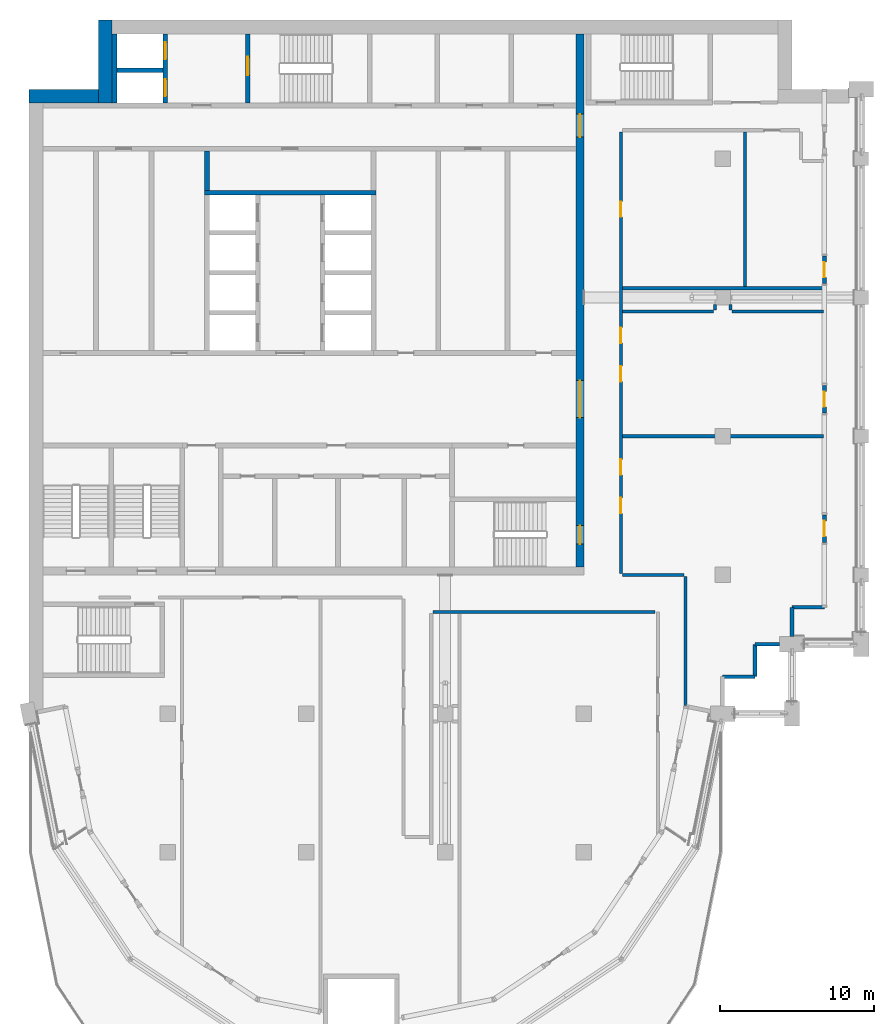
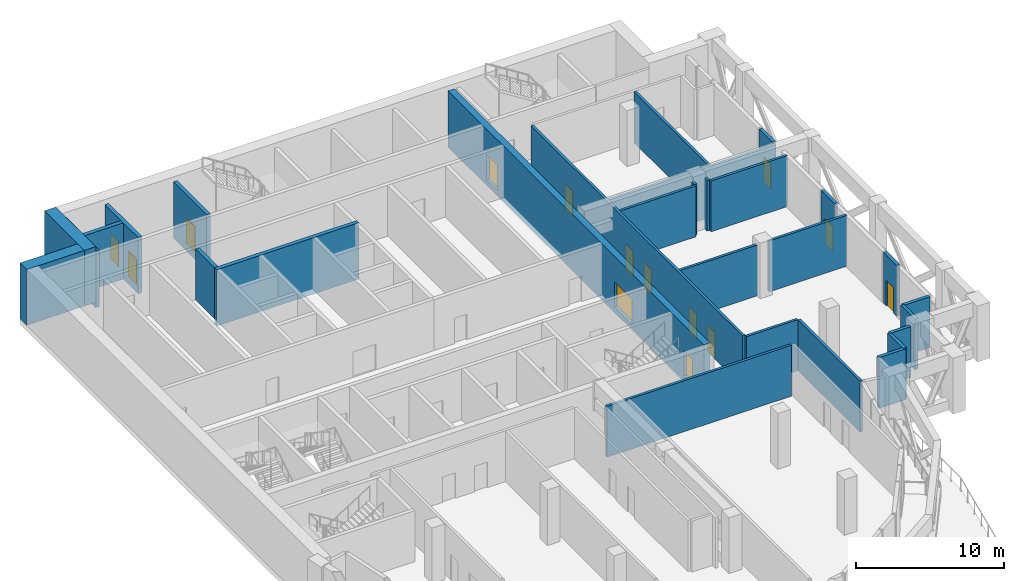
# One storey, part 9 of 18: 29 walls, 14 doors, 14 openings.
"""IFC4 building model written with IfcOpenShell, lengths in metres."""

from ifc_helpers import new_model, si_unit, direction, frame, frame_2d, origin, place, context, subcontext, project, spatial, rectangle, extrude, material, layer, layer_set, type_object, element, fill, save


model = new_model("IFC4")

# Units and contexts
model_context = context("Model", 3, precision=1e-05, world=origin(), true_north=direction((0.0, 1.0)))
body_context = subcontext(model_context, "Body", "Model", "MODEL_VIEW")
ifc_project = project(units=[si_unit("LENGTHUNIT", "METRE"), si_unit("AREAUNIT", "SQUARE_METRE"), si_unit("VOLUMEUNIT", "CUBIC_METRE"), si_unit("PLANEANGLEUNIT", "RADIAN"), si_unit("MASSUNIT", "GRAM", prefix="KILO")], contexts=[model_context])

# Site, building, storey
site_placement = place(None, origin())
site = spatial("IfcSite", under=ifc_project, at=site_placement, CompositionType="ELEMENT")
building_placement = place(site_placement, origin())
building = spatial("IfcBuilding", under=site, at=building_placement, Name="Hunhe Ridgeline Campus", CompositionType="ELEMENT")
storey_placement = place(building_placement, frame((0.0, 0.0, 276.199951171875)))
storey = spatial("IfcBuildingStorey", under=building, at=storey_placement, Name="L71", CompositionType="ELEMENT", Elevation=276.199951171875)

# Wall
ifc_material_1 = material(Name="Masonry concrete blockwork", Category="masonry")
ifc_layer_1 = layer(ifc_material_1, 0.300048828125)
ifc_layer_set_1 = layer_set([ifc_layer_1], Name="Core room partition 300 concrete block")
wall_type_1 = type_object("IfcWallType", Name="Core room partition 300 concrete block", PredefinedType="PARTITIONING", material=ifc_layer_set_1)
wall_1_placement = place(storey_placement, frame((11.550048828125, 87.949951171875, 0.0), z_axis=(0.0, 0.0, 1.0), x_axis=(0.0, 1.0, 0.0)))
element("IfcWall", 1, at=wall_1_placement, inside=storey, type_object=wall_type_1, Name="L71 core partition 32", PredefinedType="PARTITIONING", context=body_context, shape_type="SweptSolid", body=[
    extrude(rectangle(XDim=2.550048828125, YDim=0.300048828125, at=frame_2d((1.27490234375, 0.0))), origin(), (0.0, 0.0, 1.0), 4.199951171875),
])

# Wall, openings, doors
ifc_material_2 = material(Name="Concrete C50", Category="concrete")
ifc_layer_2 = layer(ifc_material_2, 0.5)
ifc_layer_set_2 = layer_set([ifc_layer_2], Name="Core wall 500 reinforced concrete C50")
wall_type_2 = type_object("IfcWallType", Name="Core wall 500 reinforced concrete C50", PredefinedType="SOLIDWALL", material=ifc_layer_set_2)
wall_2_placement = place(storey_placement, frame((35.75, 63.5, -0.449951171875), z_axis=(0.0, 0.0, 1.0), x_axis=(0.0, 1.0, 0.0)))
wall_2 = element("IfcWall", 2, at=wall_2_placement, inside=storey, type_object=wall_type_2, Name="L71 core wall 51", PredefinedType="SOLIDWALL", context=body_context, shape_type="SweptSolid", body=[
    extrude(rectangle(XDim=34.60009765625, YDim=0.5, at=frame_2d((17.300048828125, 0.0))), origin(), (0.0, 0.0, 1.0), 4.64990234375),
])
opening_1_placement = place(wall_2_placement, frame((9.699951171875, 0.0, 0.449951171875)))
opening_1 = element("IfcOpeningElement", 3, at=opening_1_placement, cuts=wall_2, Name="Opening CD4", PredefinedType="OPENING", context=body_context, shape_type="SweptSolid", body=[
    extrude(rectangle(XDim=2.39990234375, YDim=2.10009765625, at=frame_2d((1.199951171875, 1.050048828125))), frame((0.0, 0.25, 0.0), z_axis=(0.0, -1.0, 0.0), x_axis=(1.0, 0.0, 0.0)), (0.0, 0.0, 1.0), 0.5),
])
opening_2_placement = place(wall_2_placement, frame((27.89990234375, 0.0, 0.449951171875)))
opening_2 = element("IfcOpeningElement", 4, at=opening_2_placement, cuts=wall_2, Name="Opening CD5", PredefinedType="OPENING", context=body_context, shape_type="SweptSolid", body=[
    extrude(rectangle(XDim=1.5, YDim=2.10009765625, at=frame_2d((0.75, 1.050048828125))), frame((0.0, 0.25, 0.0), z_axis=(0.0, -1.0, 0.0), x_axis=(1.0, 0.0, 0.0)), (0.0, 0.0, 1.0), 0.5),
])
opening_3_placement = place(wall_2_placement, frame((1.5, 0.0, 0.449951171875)))
opening_3 = element("IfcOpeningElement", 5, at=opening_3_placement, cuts=wall_2, Name="Opening CD15", PredefinedType="OPENING", context=body_context, shape_type="SweptSolid", body=[
    extrude(rectangle(XDim=1.199951171875, YDim=2.10009765625, at=frame_2d((0.60009765625, 1.050048828125))), frame((0.0, 0.25, 0.0), z_axis=(0.0, -1.0, 0.0), x_axis=(1.0, 0.0, 0.0)), (0.0, 0.0, 1.0), 0.5),
])
ifc_material_3 = material(Name="Anodised aluminium and glass", Category="aluminium")
door_type_1 = type_object("IfcDoorType", Name="Glazed double door 2400x2100", OperationType="DOUBLE_DOOR_SINGLE_SWING", PredefinedType="DOOR", material=ifc_material_3)
door_1_placement = place(opening_1_placement, frame((2.39990234375, 0.0, 0.0), z_axis=(0.0, 0.0, 1.0), x_axis=(-1.0, 0.0, 0.0)))
door_1 = element("IfcDoor", 6, at=door_1_placement, inside=storey, type_object=door_type_1, Name="L71 door HALL-FLOOR", OperationType="DOUBLE_DOOR_SINGLE_SWING", OverallHeight=2.10009765625, OverallWidth=2.39990234375, PredefinedType="DOOR", context=body_context, shape_type="SweptSolid", body=[
    extrude(rectangle(XDim=2.39990234375, YDim=2.10009765625, at=frame_2d((1.199951171875, 1.050048828125))), frame((0.0, 0.02490234375, 0.0), z_axis=(0.0, -1.0, 0.0), x_axis=(1.0, 0.0, 0.0)), (0.0, 0.0, 1.0), 0.050048828125),
])
fill(opening_1, door_1)
ifc_material_4 = material(Name="Hollow metal fire door leaf")
door_type_2 = type_object("IfcDoorType", Name="Stair door 1200x2100 FD60", OperationType="SINGLE_SWING_LEFT", PredefinedType="DOOR", material=ifc_material_4)
door_2_placement = place(opening_3_placement, frame((1.199951171875, 0.0, 0.0), z_axis=(0.0, 0.0, 1.0), x_axis=(-1.0, 0.0, 0.0)))
door_2 = element("IfcDoor", 7, at=door_2_placement, inside=storey, type_object=door_type_2, Name="L71 door S2-FLOOR", OperationType="SINGLE_SWING_LEFT", OverallHeight=2.10009765625, OverallWidth=1.199951171875, PredefinedType="DOOR", context=body_context, shape_type="SweptSolid", body=[
    extrude(rectangle(XDim=1.199951171875, YDim=2.10009765625, at=frame_2d((0.60009765625, 1.050048828125))), frame((0.0, 0.02490234375, 0.0), z_axis=(0.0, -1.0, 0.0), x_axis=(1.0, 0.0, 0.0)), (0.0, 0.0, 1.0), 0.050048828125),
])
fill(opening_3, door_2)
ifc_material_5 = material(Name="Solid core timber door leaf", Category="wood")
door_type_3 = type_object("IfcDoorType", Name="Timber door 1500x2100", OperationType="SINGLE_SWING_LEFT", PredefinedType="DOOR", material=ifc_material_5)
door_3_placement = place(opening_2_placement, frame((1.5, 0.0, 0.0), z_axis=(0.0, 0.0, 1.0), x_axis=(-1.0, 0.0, 0.0)))
door_3 = element("IfcDoor", 8, at=door_3_placement, inside=storey, type_object=door_type_3, Name="L71 door C1-FLOOR", OperationType="SINGLE_SWING_LEFT", OverallHeight=2.10009765625, OverallWidth=1.5, PredefinedType="DOOR", context=body_context, shape_type="SweptSolid", body=[
    extrude(rectangle(XDim=1.5, YDim=2.10009765625, at=frame_2d((0.75, 1.050048828125))), frame((0.0, 0.02490234375, 0.0), z_axis=(0.0, -1.0, 0.0), x_axis=(1.0, 0.0, 0.0)), (0.0, 0.0, 1.0), 0.050048828125),
])
fill(opening_2, door_3)

# Walls
ifc_material_6 = material(Name="Concrete C30", Category="concrete")
ifc_layer_3 = layer(ifc_material_6, 0.25)
ifc_layer_set_3 = layer_set([ifc_layer_3], Name="Corner return wall 250 Concrete C30")
wall_type_3 = type_object("IfcWallType", Name="Corner return wall 250 Concrete C30", PredefinedType="SOLIDWALL", material=ifc_layer_set_3)
wall_3_placement = place(storey_placement, frame((44.999267578125, 56.400634765625, 0.0), z_axis=(0.0, 0.0, 1.0), x_axis=(0.999999993241, 0.00011626555, 0.0)))
element("IfcWall", 9, at=wall_3_placement, inside=storey, type_object=wall_type_3, Name="Corner return wall 4", PredefinedType="SOLIDWALL", context=body_context, shape_type="SweptSolid", body=[
    extrude(rectangle(XDim=2.099853515625, YDim=0.25, at=frame_2d((1.0498046875, 0.0))), origin(), (0.0, 0.0, 1.0), 4.199951171875),
])
wall_4_placement = place(storey_placement, frame((47.09912109375, 56.40087890625, 0.0), z_axis=(0.0, 0.0, 1.0), x_axis=(0.000232504063, 0.999999972971, 0.0)))
element("IfcWall", 10, at=wall_4_placement, inside=storey, type_object=wall_type_3, Name="Corner return wall 5", PredefinedType="SOLIDWALL", context=body_context, shape_type="SweptSolid", body=[
    extrude(rectangle(XDim=2.10009765625, YDim=0.25, at=frame_2d((1.050048828125, 0.0))), origin(), (0.0, 0.0, 1.0), 4.199951171875),
])
wall_5_placement = place(storey_placement, frame((47.099609375, 58.5009765625, 0.0), z_axis=(0.0, 0.0, 1.0), x_axis=(1.0, 0.0, 0.0)))
element("IfcWall", 11, at=wall_5_placement, inside=storey, type_object=wall_type_3, Name="Corner return wall 6", PredefinedType="SOLIDWALL", context=body_context, shape_type="SweptSolid", body=[
    extrude(rectangle(XDim=1.600341796875, YDim=0.25, at=frame_2d((0.80029296875, 0.0))), origin(), (0.0, 0.0, 1.0), 4.199951171875),
])
wall_6_placement = place(storey_placement, frame((49.4990234375, 59.0, 0.0), z_axis=(0.0, 0.0, 1.0), x_axis=(0.000256871299, 0.999999967009, 0.0)))
element("IfcWall", 12, at=wall_6_placement, inside=storey, type_object=wall_type_3, Name="Corner return wall 7", PredefinedType="SOLIDWALL", context=body_context, shape_type="SweptSolid", body=[
    extrude(rectangle(XDim=1.90087890625, YDim=0.25, at=frame_2d((0.950439453125, 0.0))), origin(), (0.0, 0.0, 1.0), 4.199951171875),
])
wall_7_placement = place(storey_placement, frame((49.49951171875, 60.90087890625, 0.0), z_axis=(0.0, 0.0, 1.0), x_axis=(1.0, 0.0, 0.0)))
element("IfcWall", 13, at=wall_7_placement, inside=storey, type_object=wall_type_3, Name="Corner return wall 8", PredefinedType="SOLIDWALL", context=body_context, shape_type="SweptSolid", body=[
    extrude(rectangle(XDim=2.099609375, YDim=0.25, at=frame_2d((1.0498046875, 0.0))), origin(), (0.0, 0.0, 1.0), 4.199951171875),
])
ifc_material_7 = material(Name="Gypsum board partition")
ifc_layer_4 = layer(ifc_material_7, 0.199951171875)
ifc_layer_set_4 = layer_set([ifc_layer_4], Name="Corridor partition 200 gypsum board on steel studs")
wall_type_4 = type_object("IfcWallType", Name="Corridor partition 200 gypsum board on steel studs", PredefinedType="PARTITIONING", material=ifc_layer_set_4)
wall_8_placement = place(storey_placement, frame((40.61083984375, 60.60009765625, 0.0), z_axis=(0.0, 0.0, 1.0), x_axis=(-1.0, 0.0, 0.0)))
element("IfcWall", 14, at=wall_8_placement, inside=storey, type_object=wall_type_4, Name="F-L71-wall-006", PredefinedType="PARTITIONING", context=body_context, shape_type="SweptSolid", body=[
    extrude(rectangle(XDim=14.410888671875, YDim=0.199951171875, at=frame_2d((7.20556640625, 0.0))), origin(), (0.0, 0.0, 1.0), 4.199951171875),
])
wall_9_placement = place(storey_placement, frame((38.5, 63.0, 0.0), z_axis=(0.0, 0.0, 1.0), x_axis=(1.0, 0.0, 0.0)))
element("IfcWall", 15, at=wall_9_placement, inside=storey, type_object=wall_type_4, Name="F-L71-wall-009", PredefinedType="PARTITIONING", context=body_context, shape_type="SweptSolid", body=[
    extrude(rectangle(XDim=4.0, YDim=0.199951171875, at=frame_2d((2.0, 0.0))), origin(), (0.0, 0.0, 1.0), 4.199951171875),
])
wall_10_placement = place(storey_placement, frame((38.5, 72.0, 0.0), z_axis=(0.0, 0.0, 1.0), x_axis=(1.0, 0.0, 0.0)))
element("IfcWall", 16, at=wall_10_placement, inside=storey, type_object=wall_type_4, Name="F-L71-wall-010", PredefinedType="PARTITIONING", context=body_context, shape_type="SweptSolid", body=[
    extrude(rectangle(XDim=6.050048828125, YDim=0.199951171875, at=frame_2d((3.02490234375, 0.0))), origin(), (0.0, 0.0, 1.0), 4.199951171875),
])
wall_11_placement = place(storey_placement, frame((45.449951171875, 72.0, 0.0), z_axis=(0.0, 0.0, 1.0), x_axis=(1.0, 0.0, 0.0)))
element("IfcWall", 17, at=wall_11_placement, inside=storey, type_object=wall_type_4, Name="F-L71-wall-011", PredefinedType="PARTITIONING", context=body_context, shape_type="SweptSolid", body=[
    extrude(rectangle(XDim=6.094970703125, YDim=0.199951171875, at=frame_2d((3.04736328125, 0.0))), origin(), (0.0, 0.0, 1.0), 4.199951171875),
])
wall_12_placement = place(storey_placement, frame((38.5, 80.10009765625, 0.0), z_axis=(0.0, 0.0, 1.0), x_axis=(1.0, 0.0, 0.0)))
element("IfcWall", 18, at=wall_12_placement, inside=storey, type_object=wall_type_4, Name="F-L71-wall-012", PredefinedType="PARTITIONING", context=body_context, shape_type="SweptSolid", body=[
    extrude(rectangle(XDim=5.89990234375, YDim=0.199951171875, at=frame_2d((2.949951171875, 0.0))), origin(), (0.0, 0.0, 1.0), 4.199951171875),
])
wall_13_placement = place(storey_placement, frame((45.60009765625, 80.10009765625, 0.0), z_axis=(0.0, 0.0, 1.0), x_axis=(1.0, 0.0, 0.0)))
element("IfcWall", 19, at=wall_13_placement, inside=storey, type_object=wall_type_4, Name="F-L71-wall-013", PredefinedType="PARTITIONING", context=body_context, shape_type="SweptSolid", body=[
    extrude(rectangle(XDim=5.94482421875, YDim=0.199951171875, at=frame_2d((2.972412109375, 0.0))), origin(), (0.0, 0.0, 1.0), 4.199951171875),
])
wall_14_placement = place(storey_placement, frame((38.5, 81.60009765625, 0.0), z_axis=(0.0, 0.0, 1.0), x_axis=(1.0, 0.0, 0.0)))
element("IfcWall", 20, at=wall_14_placement, inside=storey, type_object=wall_type_4, Name="F-L71-wall-014", PredefinedType="PARTITIONING", context=body_context, shape_type="SweptSolid", body=[
    extrude(rectangle(XDim=13.044921875, YDim=0.199951171875, at=frame_2d((6.5224609375, 0.0))), origin(), (0.0, 0.0, 1.0), 4.199951171875),
])

# Wall, openings, doors
wall_15_placement = place(storey_placement, frame((38.39990234375, 91.75, 0.0), z_axis=(0.0, 0.0, 1.0), x_axis=(0.0, -1.0, 0.0)))
wall_15 = element("IfcWall", 21, at=wall_15_placement, inside=storey, type_object=wall_type_4, Name="F-L71-wall-023", PredefinedType="PARTITIONING", context=body_context, shape_type="SweptSolid", body=[
    extrude(rectangle(XDim=28.64990234375, YDim=0.199951171875, at=frame_2d((14.324951171875, 0.0))), origin(), (0.0, 0.0, 1.0), 4.199951171875),
])
opening_4_placement = place(wall_15_placement, frame((23.751953125, 0.0, 0.0)))
opening_4 = element("IfcOpeningElement", 22, at=opening_4_placement, cuts=wall_15, Name="Opening RD1-009", PredefinedType="OPENING", context=body_context, shape_type="SweptSolid", body=[
    extrude(rectangle(XDim=1.0, YDim=2.10009765625, at=frame_2d((0.5, 1.050048828125))), frame((0.0, 0.10009765625, 0.0), z_axis=(0.0, -1.0, 0.0), x_axis=(1.0, 0.0, 0.0)), (0.0, 0.0, 1.0), 0.199951171875),
])
opening_5_placement = place(wall_15_placement, frame((21.251953125, 0.0, 0.0)))
opening_5 = element("IfcOpeningElement", 23, at=opening_5_placement, cuts=wall_15, Name="Opening RD1-010", PredefinedType="OPENING", context=body_context, shape_type="SweptSolid", body=[
    extrude(rectangle(XDim=1.0, YDim=2.10009765625, at=frame_2d((0.5, 1.050048828125))), frame((0.0, 0.10009765625, 0.0), z_axis=(0.0, -1.0, 0.0), x_axis=(1.0, 0.0, 0.0)), (0.0, 0.0, 1.0), 0.199951171875),
])
opening_6_placement = place(wall_15_placement, frame((15.207275390625, 0.0, 0.0)))
opening_6 = element("IfcOpeningElement", 24, at=opening_6_placement, cuts=wall_15, Name="Opening RD1-011", PredefinedType="OPENING", context=body_context, shape_type="SweptSolid", body=[
    extrude(rectangle(XDim=1.0, YDim=2.10009765625, at=frame_2d((0.5, 1.050048828125))), frame((0.0, 0.10009765625, 0.0), z_axis=(0.0, -1.0, 0.0), x_axis=(1.0, 0.0, 0.0)), (0.0, 0.0, 1.0), 0.199951171875),
])
opening_7_placement = place(wall_15_placement, frame((12.707275390625, 0.0, 0.0)))
opening_7 = element("IfcOpeningElement", 25, at=opening_7_placement, cuts=wall_15, Name="Opening RD1-012", PredefinedType="OPENING", context=body_context, shape_type="SweptSolid", body=[
    extrude(rectangle(XDim=1.0, YDim=2.10009765625, at=frame_2d((0.5, 1.050048828125))), frame((0.0, 0.10009765625, 0.0), z_axis=(0.0, -1.0, 0.0), x_axis=(1.0, 0.0, 0.0)), (0.0, 0.0, 1.0), 0.199951171875),
])
opening_8_placement = place(wall_15_placement, frame((4.5263671875, 0.0, 0.0)))
opening_8 = element("IfcOpeningElement", 26, at=opening_8_placement, cuts=wall_15, Name="Opening RD1-013", PredefinedType="OPENING", context=body_context, shape_type="SweptSolid", body=[
    extrude(rectangle(XDim=1.0, YDim=2.10009765625, at=frame_2d((0.5, 1.050048828125))), frame((0.0, 0.10009765625, 0.0), z_axis=(0.0, -1.0, 0.0), x_axis=(1.0, 0.0, 0.0)), (0.0, 0.0, 1.0), 0.199951171875),
])
ifc_material_8 = material(Name="Timber door leaf", Category="wood")
door_type_4 = type_object("IfcDoorType", Name="Single fire door 1000x2100 timber FD60", OperationType="NOTDEFINED", PredefinedType="DOOR", material=ifc_material_8)
door_4_placement = place(opening_4_placement, frame((1.0, 0.0, 0.0), z_axis=(0.0, 0.0, 1.0), x_axis=(-1.0, 0.0, 0.0)))
door_4 = element("IfcDoor", 27, at=door_4_placement, inside=storey, type_object=door_type_4, Name="F-L71-door-009", OperationType="SINGLE_SWING_RIGHT", OverallHeight=2.10009765625, OverallWidth=1.0, PredefinedType="DOOR", context=body_context, shape_type="SweptSolid", body=[
    extrude(rectangle(XDim=1.0, YDim=2.10009765625, at=frame_2d((0.5, 1.050048828125))), frame((0.0, 0.02490234375, 0.0), z_axis=(0.0, -1.0, 0.0), x_axis=(1.0, 0.0, 0.0)), (0.0, 0.0, 1.0), 0.050048828125),
])
fill(opening_4, door_4)
door_5_placement = place(opening_5_placement, frame((1.0, 0.0, 0.0), z_axis=(0.0, 0.0, 1.0), x_axis=(-1.0, 0.0, 0.0)))
door_5 = element("IfcDoor", 28, at=door_5_placement, inside=storey, type_object=door_type_4, Name="F-L71-door-010", OperationType="SINGLE_SWING_RIGHT", OverallHeight=2.10009765625, OverallWidth=1.0, PredefinedType="DOOR", context=body_context, shape_type="SweptSolid", body=[
    extrude(rectangle(XDim=1.0, YDim=2.10009765625, at=frame_2d((0.5, 1.050048828125))), frame((0.0, 0.02490234375, 0.0), z_axis=(0.0, -1.0, 0.0), x_axis=(1.0, 0.0, 0.0)), (0.0, 0.0, 1.0), 0.050048828125),
])
fill(opening_5, door_5)
door_6_placement = place(opening_6_placement, frame((1.0, 0.0, 0.0), z_axis=(0.0, 0.0, 1.0), x_axis=(-1.0, 0.0, 0.0)))
door_6 = element("IfcDoor", 29, at=door_6_placement, inside=storey, type_object=door_type_4, Name="F-L71-door-011", OperationType="SINGLE_SWING_RIGHT", OverallHeight=2.10009765625, OverallWidth=1.0, PredefinedType="DOOR", context=body_context, shape_type="SweptSolid", body=[
    extrude(rectangle(XDim=1.0, YDim=2.10009765625, at=frame_2d((0.5, 1.050048828125))), frame((0.0, 0.02490234375, 0.0), z_axis=(0.0, -1.0, 0.0), x_axis=(1.0, 0.0, 0.0)), (0.0, 0.0, 1.0), 0.050048828125),
])
fill(opening_6, door_6)
door_7_placement = place(opening_7_placement, frame((1.0, 0.0, 0.0), z_axis=(0.0, 0.0, 1.0), x_axis=(-1.0, 0.0, 0.0)))
door_7 = element("IfcDoor", 30, at=door_7_placement, inside=storey, type_object=door_type_4, Name="F-L71-door-012", OperationType="SINGLE_SWING_RIGHT", OverallHeight=2.10009765625, OverallWidth=1.0, PredefinedType="DOOR", context=body_context, shape_type="SweptSolid", body=[
    extrude(rectangle(XDim=1.0, YDim=2.10009765625, at=frame_2d((0.5, 1.050048828125))), frame((0.0, 0.02490234375, 0.0), z_axis=(0.0, -1.0, 0.0), x_axis=(1.0, 0.0, 0.0)), (0.0, 0.0, 1.0), 0.050048828125),
])
fill(opening_7, door_7)
door_8_placement = place(opening_8_placement, frame((1.0, 0.0, 0.0), z_axis=(0.0, 0.0, 1.0), x_axis=(-1.0, 0.0, 0.0)))
door_8 = element("IfcDoor", 31, at=door_8_placement, inside=storey, type_object=door_type_4, Name="F-L71-door-013", OperationType="SINGLE_SWING_RIGHT", OverallHeight=2.10009765625, OverallWidth=1.0, PredefinedType="DOOR", context=body_context, shape_type="SweptSolid", body=[
    extrude(rectangle(XDim=1.0, YDim=2.10009765625, at=frame_2d((0.5, 1.050048828125))), frame((0.0, 0.02490234375, 0.0), z_axis=(0.0, -1.0, 0.0), x_axis=(1.0, 0.0, 0.0)), (0.0, 0.0, 1.0), 0.050048828125),
])
fill(opening_8, door_8)

# Walls
wall_16_placement = place(storey_placement, frame((42.60009765625, 62.89990234375, 0.0), z_axis=(0.0, 0.0, 1.0), x_axis=(0.0, -1.0, 0.0)))
element("IfcWall", 32, at=wall_16_placement, inside=storey, type_object=wall_type_4, Name="F-L71-wall-025", PredefinedType="PARTITIONING", context=body_context, shape_type="SweptSolid", body=[
    extrude(rectangle(XDim=8.38232421875, YDim=0.199951171875, at=frame_2d((4.191162109375, 0.0))), origin(), (0.0, 0.0, 1.0), 4.199951171875),
])
for number, where, z_axis, x_axis, name in (
    (33, (44.5, 80.550048828125, 0.0), (0.0, 0.0, 1.0), (0.0, -1.0, 0.0), "F-L71-wall-026"),
    (34, (45.5, 80.550048828125, 0.0), (0.0, 0.0, 1.0), (0.0, -1.0, 0.0), "F-L71-wall-027"),
):
    element("IfcWall", number, at=place(storey_placement, frame(where, z_axis=z_axis, x_axis=x_axis)), inside=storey, type_object=wall_type_4, Name=name, PredefinedType="PARTITIONING", context=body_context, shape_type="SweptSolid", body=[
        extrude(rectangle(XDim=0.35009765625, YDim=0.199951171875, at=frame_2d((0.175048828125, 0.0))), origin(), (0.0, 0.0, 1.0), 4.199951171875),
    ])
wall_17_placement = place(storey_placement, frame((46.43994140625, 91.75, 0.0), z_axis=(0.0, 0.0, 1.0), x_axis=(0.0, -1.0, 0.0)))
element("IfcWall", 35, at=wall_17_placement, inside=storey, type_object=wall_type_4, Name="F-L71-wall-028", PredefinedType="PARTITIONING", context=body_context, shape_type="SweptSolid", body=[
    extrude(rectangle(XDim=10.050048828125, YDim=0.199951171875, at=frame_2d((5.02490234375, 0.0))), origin(), (0.0, 0.0, 1.0), 4.199951171875),
])

# Wall, opening, door
ifc_layer_5 = layer(ifc_material_6, 0.25)
ifc_layer_set_5 = layer_set([ifc_layer_5], Name="Loggia door pier wall 250 Concrete C30")
wall_type_5 = type_object("IfcWallType", Name="Loggia door pier wall 250 Concrete C30", PredefinedType="SOLIDWALL", material=ifc_layer_set_5)
wall_18_placement = place(storey_placement, frame((51.59912109375, 65.100830078125, 0.0), z_axis=(0.0, 0.0, 1.0), x_axis=(0.0, 1.0, 0.0)))
wall_18 = element("IfcWall", 36, at=wall_18_placement, inside=storey, type_object=wall_type_5, Name="Loggia door pier 7", PredefinedType="SOLIDWALL", context=body_context, shape_type="SweptSolid", body=[
    extrude(rectangle(XDim=1.800048828125, YDim=0.25, at=frame_2d((0.89990234375, 0.0))), origin(), (0.0, 0.0, 1.0), 4.199951171875),
])
opening_9_placement = place(wall_18_placement, frame((0.39990234375, 0.0, 0.0)))
opening_9 = element("IfcOpeningElement", 37, at=opening_9_placement, cuts=wall_18, Name="Opening BR609", PredefinedType="OPENING", context=body_context, shape_type="SweptSolid", body=[
    extrude(rectangle(XDim=1.0, YDim=2.10009765625, at=frame_2d((0.5, 1.050048828125))), frame((0.0, 0.125, 0.0), z_axis=(0.0, -1.0, 0.0), x_axis=(1.0, 0.0, 0.0)), (0.0, 0.0, 1.0), 0.25),
])
ifc_material_9 = material(Name="Aluminium 6063", Category="aluminium")
door_type_5 = type_object("IfcDoorType", Name="Loggia glazed door 1000x2100", OperationType="NOTDEFINED", PredefinedType="DOOR", material=ifc_material_9)
door_9_placement = place(opening_9_placement, frame((1.0, 0.0, 0.0), z_axis=(0.0, 0.0, 1.0), x_axis=(-1.0, 0.0, 0.0)))
door_9 = element("IfcDoor", 38, at=door_9_placement, inside=storey, type_object=door_type_5, Name="Loggia door BR609", OperationType="SINGLE_SWING_RIGHT", OverallHeight=2.10009765625, OverallWidth=1.0, PredefinedType="DOOR", context=body_context, shape_type="SweptSolid", body=[
    extrude(rectangle(XDim=1.0, YDim=2.10009765625, at=frame_2d((0.5, 1.050048828125))), frame((0.0, 0.02490234375, 0.0), z_axis=(0.0, -1.0, 0.0), x_axis=(1.0, 0.0, 0.0)), (0.0, 0.0, 1.0), 0.050048828125),
])
fill(opening_9, door_9)

wall_19_placement = place(storey_placement, frame((51.59912109375, 73.500732421875, 0.0), z_axis=(0.0, 0.0, 1.0), x_axis=(0.0, 1.0, 0.0)))
wall_19 = element("IfcWall", 39, at=wall_19_placement, inside=storey, type_object=wall_type_5, Name="Loggia door pier 8", PredefinedType="SOLIDWALL", context=body_context, shape_type="SweptSolid", body=[
    extrude(rectangle(XDim=1.7998046875, YDim=0.25, at=frame_2d((0.89990234375, 0.0))), origin(), (0.0, 0.0, 1.0), 4.199951171875),
])
opening_10_placement = place(wall_19_placement, frame((0.39990234375, 0.0, 0.0)))
opening_10 = element("IfcOpeningElement", 40, at=opening_10_placement, cuts=wall_19, Name="Opening BR610", PredefinedType="OPENING", context=body_context, shape_type="SweptSolid", body=[
    extrude(rectangle(XDim=1.0, YDim=2.10009765625, at=frame_2d((0.5, 1.050048828125))), frame((0.0, 0.125, 0.0), z_axis=(0.0, -1.0, 0.0), x_axis=(1.0, 0.0, 0.0)), (0.0, 0.0, 1.0), 0.25),
])
door_10_placement = place(opening_10_placement, frame((1.0, 0.0, 0.0), z_axis=(0.0, 0.0, 1.0), x_axis=(-1.0, 0.0, 0.0)))
door_10 = element("IfcDoor", 41, at=door_10_placement, inside=storey, type_object=door_type_5, Name="Loggia door BR610", OperationType="SINGLE_SWING_LEFT", OverallHeight=2.10009765625, OverallWidth=1.0, PredefinedType="DOOR", context=body_context, shape_type="SweptSolid", body=[
    extrude(rectangle(XDim=1.0, YDim=2.10009765625, at=frame_2d((0.5, 1.050048828125))), frame((0.0, 0.02490234375, 0.0), z_axis=(0.0, -1.0, 0.0), x_axis=(1.0, 0.0, 0.0)), (0.0, 0.0, 1.0), 0.050048828125),
])
fill(opening_10, door_10)

wall_20_placement = place(storey_placement, frame((51.59912109375, 81.900390625, 0.0), z_axis=(0.0, 0.0, 1.0), x_axis=(0.0, 1.0, 0.0)))
wall_20 = element("IfcWall", 42, at=wall_20_placement, inside=storey, type_object=wall_type_5, Name="Loggia door pier 9", PredefinedType="SOLIDWALL", context=body_context, shape_type="SweptSolid", body=[
    extrude(rectangle(XDim=1.800048828125, YDim=0.25, at=frame_2d((0.89990234375, 0.0))), origin(), (0.0, 0.0, 1.0), 4.199951171875),
])
opening_11_placement = place(wall_20_placement, frame((0.39990234375, 0.0, 0.0)))
opening_11 = element("IfcOpeningElement", 43, at=opening_11_placement, cuts=wall_20, Name="Opening BR611", PredefinedType="OPENING", context=body_context, shape_type="SweptSolid", body=[
    extrude(rectangle(XDim=1.0, YDim=2.10009765625, at=frame_2d((0.5, 1.050048828125))), frame((0.0, 0.125, 0.0), z_axis=(0.0, -1.0, 0.0), x_axis=(1.0, 0.0, 0.0)), (0.0, 0.0, 1.0), 0.25),
])
door_11_placement = place(opening_11_placement, frame((1.0, 0.0, 0.0), z_axis=(0.0, 0.0, 1.0), x_axis=(-1.0, 0.0, 0.0)))
door_11 = element("IfcDoor", 44, at=door_11_placement, inside=storey, type_object=door_type_5, Name="Loggia door BR611", OperationType="SINGLE_SWING_RIGHT", OverallHeight=2.10009765625, OverallWidth=1.0, PredefinedType="DOOR", context=body_context, shape_type="SweptSolid", body=[
    extrude(rectangle(XDim=1.0, YDim=2.10009765625, at=frame_2d((0.5, 1.050048828125))), frame((0.0, 0.02490234375, 0.0), z_axis=(0.0, -1.0, 0.0), x_axis=(1.0, 0.0, 0.0)), (0.0, 0.0, 1.0), 0.050048828125),
])
fill(opening_11, door_11)

# Walls
ifc_layer_6 = layer(ifc_material_2, 0.300048828125)
ifc_layer_set_6 = layer_set([ifc_layer_6], Name="Shaft wall 300 reinforced concrete C50")
wall_type_6 = type_object("IfcWallType", Name="Shaft wall 300 reinforced concrete C50", PredefinedType="SOLIDWALL", material=ifc_layer_set_6)
wall_21_placement = place(storey_placement, frame((11.39990234375, 87.800048828125, -0.449951171875), z_axis=(0.0, 0.0, 1.0), x_axis=(1.0, 0.0, 0.0)))
element("IfcWall", 45, at=wall_21_placement, inside=storey, type_object=wall_type_6, Name="L71 core wall 19", PredefinedType="SOLIDWALL", context=body_context, shape_type="SweptSolid", body=[
    extrude(rectangle(XDim=11.10009765625, YDim=0.300048828125, at=frame_2d((5.550048828125, 0.0))), origin(), (0.0, 0.0, 1.0), 4.64990234375),
])
wall_22_placement = place(storey_placement, frame((5.699951171875, 95.75, -0.449951171875), z_axis=(0.0, 0.0, 1.0), x_axis=(1.0, 0.0, 0.0)))
element("IfcWall", 46, at=wall_22_placement, inside=storey, type_object=wall_type_6, Name="L71 core wall 23", PredefinedType="SOLIDWALL", context=body_context, shape_type="SweptSolid", body=[
    extrude(rectangle(XDim=3.0, YDim=0.300048828125, at=frame_2d((1.5, 0.0))), origin(), (0.0, 0.0, 1.0), 4.64990234375),
])
wall_23_placement = place(storey_placement, frame((5.550048828125, 93.60009765625, -0.449951171875), z_axis=(0.0, 0.0, 1.0), x_axis=(0.0, 1.0, 0.0)))
element("IfcWall", 47, at=wall_23_placement, inside=storey, type_object=wall_type_6, Name="L71 core wall 26", PredefinedType="SOLIDWALL", context=body_context, shape_type="SweptSolid", body=[
    extrude(rectangle(XDim=4.5, YDim=0.300048828125, at=frame_2d((2.25, 0.0))), origin(), (0.0, 0.0, 1.0), 4.64990234375),
])

# Wall, openings, doors
wall_24_placement = place(storey_placement, frame((8.85009765625, 93.60009765625, -0.449951171875), z_axis=(0.0, 0.0, 1.0), x_axis=(0.0, 1.0, 0.0)))
wall_24 = element("IfcWall", 48, at=wall_24_placement, inside=storey, type_object=wall_type_6, Name="L71 core wall 29", PredefinedType="SOLIDWALL", context=body_context, shape_type="SweptSolid", body=[
    extrude(rectangle(XDim=4.5, YDim=0.300048828125, at=frame_2d((2.25, 0.0))), origin(), (0.0, 0.0, 1.0), 4.64990234375),
])
opening_12_placement = place(wall_24_placement, frame((0.449951171875, 0.0, 0.449951171875)))
opening_12 = element("IfcOpeningElement", 49, at=opening_12_placement, cuts=wall_24, Name="Opening LD-FF1", PredefinedType="OPENING", context=body_context, shape_type="SweptSolid", body=[
    extrude(rectangle(XDim=1.10009765625, YDim=2.10009765625, at=frame_2d((0.550048828125, 1.050048828125))), frame((0.0, 0.14990234375, 0.0), z_axis=(0.0, -1.0, 0.0), x_axis=(1.0, 0.0, 0.0)), (0.0, 0.0, 1.0), 0.300048828125),
])
opening_13_placement = place(wall_24_placement, frame((2.85009765625, 0.0, 0.449951171875)))
opening_13 = element("IfcOpeningElement", 50, at=opening_13_placement, cuts=wall_24, Name="Opening LD-FF2", PredefinedType="OPENING", context=body_context, shape_type="SweptSolid", body=[
    extrude(rectangle(XDim=1.10009765625, YDim=2.10009765625, at=frame_2d((0.550048828125, 1.050048828125))), frame((0.0, 0.14990234375, 0.0), z_axis=(0.0, -1.0, 0.0), x_axis=(1.0, 0.0, 0.0)), (0.0, 0.0, 1.0), 0.300048828125),
])
ifc_material_10 = material(Name="Stainless steel sliding leaves", Category="steel")
door_type_6 = type_object("IfcDoorType", Name="Landing door 1100x2100 FD120", OperationType="SLIDING_TO_LEFT", PredefinedType="DOOR", material=ifc_material_10)
door_12_placement = place(opening_12_placement, origin())
door_12 = element("IfcDoor", 51, at=door_12_placement, inside=storey, type_object=door_type_6, Name="L71 landing door FF1", OperationType="SLIDING_TO_RIGHT", OverallHeight=2.10009765625, OverallWidth=1.10009765625, PredefinedType="DOOR", context=body_context, shape_type="SweptSolid", body=[
    extrude(rectangle(XDim=1.10009765625, YDim=2.10009765625, at=frame_2d((0.550048828125, 1.050048828125))), frame((0.0, 0.02490234375, 0.0), z_axis=(0.0, -1.0, 0.0), x_axis=(1.0, 0.0, 0.0)), (0.0, 0.0, 1.0), 0.050048828125),
])
fill(opening_12, door_12)
door_13_placement = place(opening_13_placement, origin())
door_13 = element("IfcDoor", 52, at=door_13_placement, inside=storey, type_object=door_type_6, Name="L71 landing door FF2", OperationType="SLIDING_TO_LEFT", OverallHeight=2.10009765625, OverallWidth=1.10009765625, PredefinedType="DOOR", context=body_context, shape_type="SweptSolid", body=[
    extrude(rectangle(XDim=1.10009765625, YDim=2.10009765625, at=frame_2d((0.550048828125, 1.050048828125))), frame((0.0, 0.02490234375, 0.0), z_axis=(0.0, -1.0, 0.0), x_axis=(1.0, 0.0, 0.0)), (0.0, 0.0, 1.0), 0.050048828125),
])
fill(opening_13, door_13)

# Walls
ifc_layer_7 = layer(ifc_material_2, 0.89990234375)
ifc_layer_set_7 = layer_set([ifc_layer_7], Name="Spine wall 900 Concrete C50")
wall_type_7 = type_object("IfcWallType", Name="Spine wall 900 Concrete C50", PredefinedType="SHEAR", material=ifc_layer_set_7)
for number, where, z_axis, x_axis, name in (
    (53, (4.949951171875, 99.0, 0.0), (0.0, 0.0, 1.0), (0.0, -1.0, 0.0), "Spine wall SW4-5 L71"),
    (54, (5.400146484375, 94.050048828125, 0.0), (0.0, 0.0, 1.0), (-1.0, 0.0, 0.0), "Spine wall SW4-6 L71"),
):
    element("IfcWall", number, at=place(storey_placement, frame(where, z_axis=z_axis, x_axis=x_axis)), inside=storey, type_object=wall_type_7, Name=name, PredefinedType="SHEAR", context=body_context, shape_type="SweptSolid", body=[
        extrude(rectangle(XDim=5.400146484375, YDim=0.89990234375, at=frame_2d((2.7001953125, 0.0))), origin(), (0.0, 0.0, 1.0), 4.60009765625),
    ])

# Wall, opening, door
ifc_layer_8 = layer(ifc_material_2, 0.300048828125)
ifc_layer_set_8 = layer_set([ifc_layer_8], Name="Stair wall 300 reinforced concrete C50")
wall_type_8 = type_object("IfcWallType", Name="Stair wall 300 reinforced concrete C50", PredefinedType="SOLIDWALL", material=ifc_layer_set_8)
wall_25_placement = place(storey_placement, frame((14.199951171875, 93.60009765625, -0.449951171875), z_axis=(0.0, 0.0, 1.0), x_axis=(0.0, 1.0, 0.0)))
wall_25 = element("IfcWall", 55, at=wall_25_placement, inside=storey, type_object=wall_type_8, Name="L71 core wall 34", PredefinedType="SOLIDWALL", context=body_context, shape_type="SweptSolid", body=[
    extrude(rectangle(XDim=4.5, YDim=0.300048828125, at=frame_2d((2.25, 0.0))), origin(), (0.0, 0.0, 1.0), 4.64990234375),
])
opening_14_placement = place(wall_25_placement, frame((1.800048828125, 0.0, 0.449951171875)))
opening_14 = element("IfcOpeningElement", 56, at=opening_14_placement, cuts=wall_25, Name="Opening CD16", PredefinedType="OPENING", context=body_context, shape_type="SweptSolid", body=[
    extrude(rectangle(XDim=1.199951171875, YDim=2.10009765625, at=frame_2d((0.60009765625, 1.050048828125))), frame((0.0, 0.14990234375, 0.0), z_axis=(0.0, -1.0, 0.0), x_axis=(1.0, 0.0, 0.0)), (0.0, 0.0, 1.0), 0.300048828125),
])
door_14_placement = place(opening_14_placement, origin())
door_14 = element("IfcDoor", 57, at=door_14_placement, inside=storey, type_object=door_type_2, Name="L71 door S1-FF", OperationType="SINGLE_SWING_RIGHT", OverallHeight=2.10009765625, OverallWidth=1.199951171875, PredefinedType="DOOR", context=body_context, shape_type="SweptSolid", body=[
    extrude(rectangle(XDim=1.199951171875, YDim=2.10009765625, at=frame_2d((0.60009765625, 1.050048828125))), frame((0.0, 0.02490234375, 0.0), z_axis=(0.0, -1.0, 0.0), x_axis=(1.0, 0.0, 0.0)), (0.0, 0.0, 1.0), 0.050048828125),
])
fill(opening_14, door_14)

save(model, "model.ifc")
